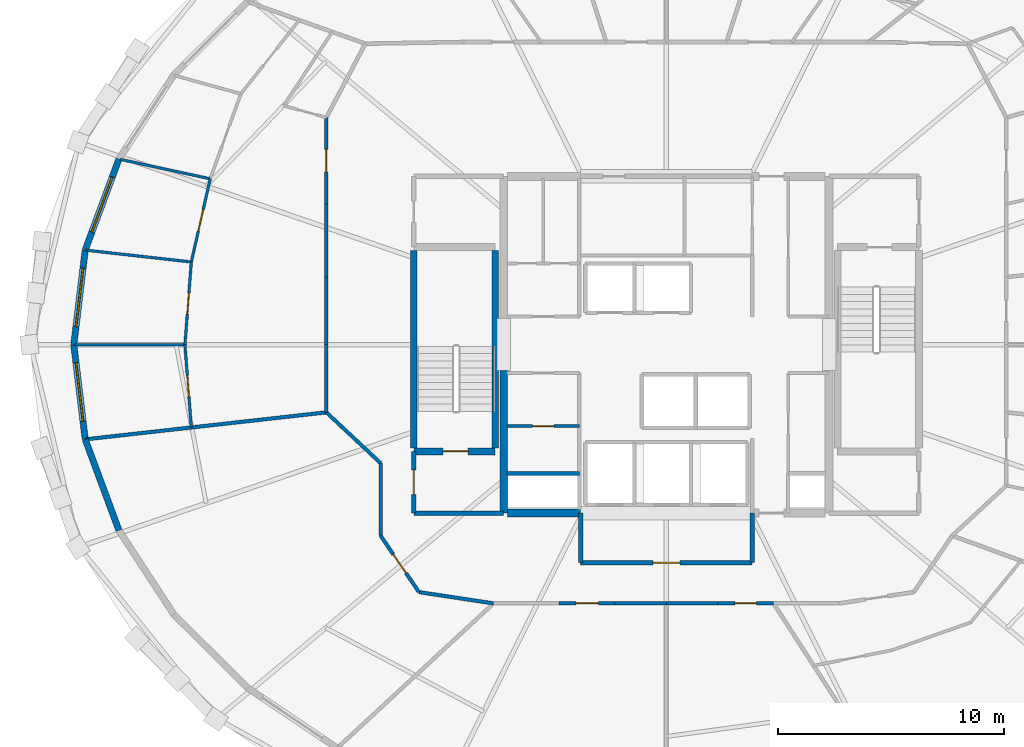
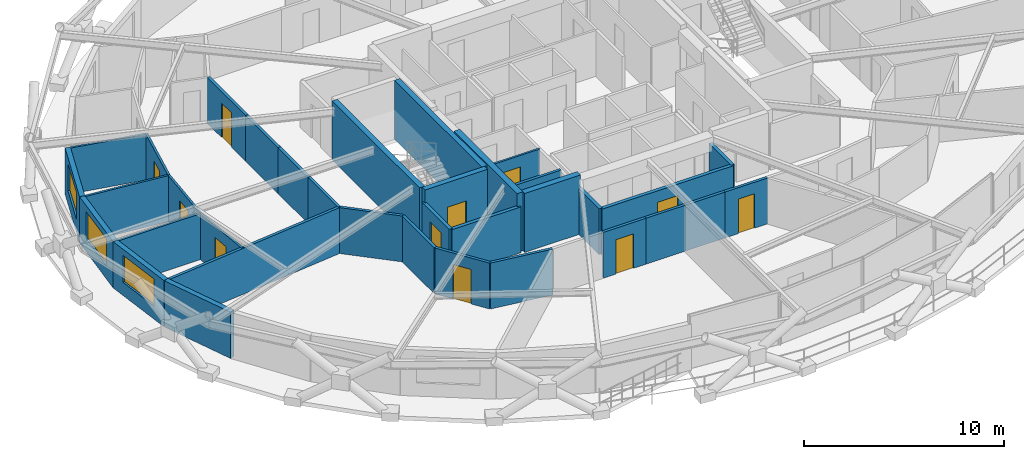
# One storey, part 14 of 19: 35 walls, 11 doors, 3 windows, 14 openings.
"""IFC4 building model written with IfcOpenShell, lengths in metres."""

import ifcopenshell
import ifcopenshell.guid

model = None  # the IFC model being written
_history = None  # IfcOwnerHistory: only IFC2X3 demands one
_inside = {}  # id of a spatial element -> (the spatial element, [elements in it])
_under = {}  # id of a project, library or spatial element -> (it, [spatial elements below it])
_declared = {}  # id of a project -> (the project, [libraries it declares])
_typed = {}  # id of a type object -> (the type object, [elements of that type])
_made_of = {}  # id of a material, layer set ... -> (it, [elements and type objects made of it])


def new_model(schema):
    """Start an empty IFC model of exactly this schema.

    Asked for "IFC4X3", IfcOpenShell would pick the latest addendum, in which some entities
    have other attributes; the version numbers below select the first issue.
    IFC2X3 requires an IfcOwnerHistory on every rooted entity: one is made here for all.
    """
    global model, _history
    if schema == "IFC4X3":
        model = ifcopenshell.file(schema_version=(4, 3, 0, 0))
    else:
        model = ifcopenshell.file(schema=schema)
    _inside.clear()
    _under.clear()
    _declared.clear()
    _typed.clear()
    _made_of.clear()
    _history = None
    if model.schema == "IFC2X3":
        org = make("IfcOrganization", Name="unknown")
        user = make(
            "IfcPersonAndOrganization",
            ThePerson=make("IfcPerson", FamilyName="unknown"),
            TheOrganization=org,
        )
        app = make(
            "IfcApplication",
            ApplicationDeveloper=org,
            Version="unknown",
            ApplicationFullName="unknown",
            ApplicationIdentifier="unknown",
        )
        _history = make(
            "IfcOwnerHistory",
            OwningUser=user,
            OwningApplication=app,
            ChangeAction="ADDED",
            CreationDate=0,
        )
    return model


def make(cls, **values):
    """One entity of the class cls with the attributes given. An attribute that is None is left unset."""
    return model.create_entity(
        cls, **{name: value for name, value in values.items() if value is not None}
    )


def rooted(cls, **values):
    """An entity with a GlobalId (a new one), such as an element, a storey or a relation."""
    return make(cls, GlobalId=ifcopenshell.guid.new(), OwnerHistory=_history, **values)


def si_unit(unit_type, name, prefix=None):
    """IfcSIUnit, for example si_unit("LENGTHUNIT", "METRE", prefix="MILLI")."""
    return make("IfcSIUnit", UnitType=unit_type, Prefix=prefix, Name=name)


def assignment(units):
    """IfcUnitAssignment: the units of a project."""
    return None if units is None else make("IfcUnitAssignment", Units=units)


def point(xyz):
    """IfcCartesianPoint."""
    return None if xyz is None else make("IfcCartesianPoint", Coordinates=xyz)


def direction(xyz):
    """IfcDirection."""
    return None if xyz is None else make("IfcDirection", DirectionRatios=xyz)


def frame(location, z_axis=None, x_axis=None):
    """IfcAxis2Placement3D, a coordinate frame: its origin and axes. An axis left out is left unset."""
    return make(
        "IfcAxis2Placement3D",
        Location=point(location),
        Axis=direction(z_axis),
        RefDirection=direction(x_axis),
    )


def frame_2d(location, x_axis=None):
    """IfcAxis2Placement2D, a coordinate frame in the plane: its origin and x axis."""
    return make(
        "IfcAxis2Placement2D", Location=point(location), RefDirection=direction(x_axis)
    )


def origin():
    """The frame at (0, 0, 0) with its axes left unset."""
    return frame((0.0, 0.0, 0.0))


def place(relative_to, where):
    """IfcLocalPlacement: puts the frame where relative to a parent placement (None: the world)."""
    return make(
        "IfcLocalPlacement", PlacementRelTo=relative_to, RelativePlacement=where
    )


def context(
    kind, dimensions, precision=None, world=None, true_north=None, identifier=None
):
    """IfcGeometricRepresentationContext, for example the 3D "Model" context."""
    return make(
        "IfcGeometricRepresentationContext",
        ContextIdentifier=identifier,
        ContextType=kind,
        CoordinateSpaceDimension=dimensions,
        Precision=precision,
        WorldCoordinateSystem=world,
        TrueNorth=true_north,
    )


def subcontext(parent, identifier, kind, view, scale=None):
    """IfcGeometricRepresentationSubContext, for example "Body" below "Model"."""
    return make(
        "IfcGeometricRepresentationSubContext",
        ContextIdentifier=identifier,
        ContextType=kind,
        ParentContext=parent,
        TargetScale=scale,
        TargetView=view,
    )


def project(units=None, contexts=None):
    """IfcProject with its units and contexts."""
    return rooted(
        "IfcProject",
        Name="project",
        RepresentationContexts=contexts,
        UnitsInContext=assignment(units),
    )


def spatial(cls, under=None, at=None, **own):
    """A site, building, storey or space (cls), placed at a placement, below another one or the project."""
    s = rooted(cls, ObjectPlacement=at, **own)
    if under is not None:
        _under.setdefault(under.id(), (under, []))[1].append(s)
    return s


def profile(cls, at=None, kind="AREA", **sizes):
    """A parametric profile (cls). Its sizes go by their IFC names, for example OverallWidth=200.0."""
    return make(cls, ProfileType=kind, Position=at, **sizes)


def rectangle(**sizes):
    """IfcRectangleProfileDef."""
    return profile("IfcRectangleProfileDef", **sizes)


def extrude(swept, where, along, depth):
    """IfcExtrudedAreaSolid: the profile swept, set in the frame where, extruded along a direction by depth."""
    return make(
        "IfcExtrudedAreaSolid",
        SweptArea=swept,
        Position=where,
        ExtrudedDirection=direction(along),
        Depth=depth,
    )


def shape(context_of_items, identifier, shape_type, items):
    """IfcShapeRepresentation: the items that make up one representation, for example the "Body"."""
    return make(
        "IfcShapeRepresentation",
        ContextOfItems=context_of_items,
        RepresentationIdentifier=identifier,
        RepresentationType=shape_type,
        Items=items,
    )


def material(Name=None, Category=None):
    """IfcMaterial."""
    return make("IfcMaterial", Name=Name, Category=Category)


def layer(
    of_material, thickness, ventilated=None, Name=None, Category=None, Priority=None
):
    """IfcMaterialLayer: one layer of a wall or slab, of a material (None: an air gap)."""
    return make(
        "IfcMaterialLayer",
        Material=of_material,
        LayerThickness=thickness,
        IsVentilated=ventilated,
        Name=Name,
        Category=Category,
        Priority=Priority,
    )


def layer_set(layers, Name=None):
    """IfcMaterialLayerSet."""
    return make("IfcMaterialLayerSet", MaterialLayers=layers, LayerSetName=Name)


def made_of(thing, what):
    """Note that an element or type object is made of a material, layer set ...; save() writes the relation."""
    if what is not None:
        _made_of.setdefault(what.id(), (what, []))[1].append(thing)
    return thing


def type_object(cls, material=None, **own):
    """A type object (cls), such as IfcWallType, which elements share."""
    return made_of(rooted(cls, **own), material)


def element(
    cls,
    number,
    at=None,
    inside=None,
    cuts=None,
    type_object=None,
    material=None,
    context=None,
    identifier="Body",
    shape_type=None,
    held_by="IfcProductDefinitionShape",
    body=None,
    shapes=None,
    **own,
):
    """One element of the class cls, such as IfcWall. Its Tag is "e" and its number.

    at: its placement. inside: the storey or other place that contains it. cuts: it is an
    opening in that element (IfcRelVoidsElement). A single representation is given by context,
    identifier, shape_type and body (its items); several are given by shapes. held_by: the class
    of the entity that holds the representations. save() writes the other relations.
    """
    e = rooted(cls, Tag="e%d" % number, ObjectPlacement=at, **own)
    if body is not None:
        shapes = [shape(context, identifier, shape_type, body)]
    if shapes is not None:
        e.Representation = make(held_by, Representations=shapes)
    if inside is not None:
        _inside.setdefault(inside.id(), (inside, []))[1].append(e)
    if cuts is not None:
        rooted(
            "IfcRelVoidsElement", RelatingBuildingElement=cuts, RelatedOpeningElement=e
        )
    if type_object is not None:
        _typed.setdefault(type_object.id(), (type_object, []))[1].append(e)
    return made_of(e, material)


def fill(opening, filler):
    """IfcRelFillsElement: the door or window that sits in an opening."""
    return rooted(
        "IfcRelFillsElement",
        RelatingOpeningElement=opening,
        RelatedBuildingElement=filler,
    )


def aggregate(whole, parts):
    """IfcRelAggregates: a whole, such as a stair, and the parts it consists of."""
    return rooted("IfcRelAggregates", RelatingObject=whole, RelatedObjects=parts)


def save(model, path):
    """Write the relations noted so far, then the file.

    IfcRelAggregates (storeys below a building ...), IfcRelContainedInSpatialStructure (elements
    in a storey), IfcRelDefinesByType, IfcRelAssociatesMaterial and IfcRelDeclares: one each for
    every whole, place, type object, material and project.
    """
    for whole, parts in _under.values():
        aggregate(whole, parts)
    for where, things in _inside.values():
        rooted(
            "IfcRelContainedInSpatialStructure",
            RelatedElements=things,
            RelatingStructure=where,
        )
    for kind, things in _typed.values():
        rooted("IfcRelDefinesByType", RelatedObjects=things, RelatingType=kind)
    for what, things in _made_of.values():
        rooted("IfcRelAssociatesMaterial", RelatedObjects=things, RelatingMaterial=what)
    for by, libraries in _declared.values():
        rooted("IfcRelDeclares", RelatingContext=by, RelatedDefinitions=libraries)
    model.write(path)


model = new_model("IFC4")

# Units and contexts
model_context = context("Model", 3, precision=1e-05, world=origin(), true_north=direction((0.0, 1.0)))
body_context = subcontext(model_context, "Body", "Model", "MODEL_VIEW")
ifc_project = project(units=[si_unit("LENGTHUNIT", "METRE"), si_unit("AREAUNIT", "SQUARE_METRE"), si_unit("VOLUMEUNIT", "CUBIC_METRE"), si_unit("PLANEANGLEUNIT", "RADIAN"), si_unit("MASSUNIT", "GRAM", prefix="KILO")], contexts=[model_context])

# Site, building, storey
site_placement = place(None, origin())
site = spatial("IfcSite", under=ifc_project, at=site_placement, CompositionType="ELEMENT")
building_placement = place(site_placement, origin())
building = spatial("IfcBuilding", under=site, at=building_placement, Name="Veldorina Hangang Commons", CompositionType="ELEMENT")
storey_placement = place(building_placement, frame((0.0, 0.0, 160.39990234375)))
storey = spatial("IfcBuildingStorey", under=building, at=storey_placement, Name="L41", CompositionType="ELEMENT", Elevation=160.39990234375)

# Walls
ifc_material_1 = material(Name="Concrete C60/75", Category="concrete")
ifc_layer_1 = layer(ifc_material_1, 0.340087890625)
ifc_layer_set_1 = layer_set([ifc_layer_1], Name="Concrete C60/75")
wall_type_1 = type_object("IfcWallType", Name="CW-RC340-C60", PredefinedType="SHEAR", material=ifc_layer_set_1)
wall_1_placement = place(storey_placement, frame((24.800048828125, 16.550048828125, 0.0), z_axis=(0.0, 0.0, 1.0), x_axis=(0.0, 1.0, 0.0)))
element("IfcWall", 1, at=wall_1_placement, inside=storey, type_object=wall_type_1, Name="L41 W south core shear wall", PredefinedType="SHEAR", context=body_context, shape_type="SweptSolid", body=[
    extrude(rectangle(XDim=6.300048828125, YDim=0.340087890625, at=frame_2d((3.14990234375, 0.0))), origin(), (0.0, 0.0, 1.0), 3.60009765625),
])
wall_2_placement = place(storey_placement, frame((24.969970703125, 16.550048828125, 0.0), z_axis=(0.0, 0.0, 1.0), x_axis=(1.0, 0.0, 0.0)))
element("IfcWall", 2, at=wall_2_placement, inside=storey, type_object=wall_type_1, Name="L41 south-west core shear wall", PredefinedType="SHEAR", context=body_context, shape_type="SweptSolid", body=[
    extrude(rectangle(XDim=3.22998046875, YDim=0.340087890625, at=frame_2d((1.614990234375, 0.0))), origin(), (0.0, 0.0, 1.0), 3.60009765625),
])

# Wall, opening, window
ifc_material_2 = material(Name="Stone Roman Travertine", Category="masonry")
ifc_layer_2 = layer(ifc_material_2, 0.280029296875)
ifc_layer_set_2 = layer_set([ifc_layer_2], Name="Stone Roman Travertine")
wall_type_2 = type_object("IfcWallType", Name="EW-TRAV-280", PredefinedType="STANDARD", material=ifc_layer_set_2)
wall_3_placement = place(storey_placement, frame((7.767578125, 32.217041015625, 0.0), z_axis=(0.0, 0.0, 1.0), x_axis=(-0.347427267509, -0.937706933851, 0.0)))
wall_3 = element("IfcWall", 3, at=wall_3_placement, inside=storey, type_object=wall_type_2, Name="L41 travertine facade wall 14", PredefinedType="STANDARD", context=body_context, shape_type="SweptSolid", body=[
    extrude(rectangle(XDim=4.295654296875, YDim=0.280029296875, at=frame_2d((2.14794921875, 0.0))), origin(), (0.0, 0.0, 1.0), 2.820068359375),
])
opening_1_placement = place(wall_3_placement, frame((0.847900390625, 0.0, 0.800048828125)))
opening_1 = element("IfcOpeningElement", 4, at=opening_1_placement, cuts=wall_3, Name="Opening W-02", PredefinedType="OPENING", context=body_context, shape_type="SweptSolid", body=[
    extrude(rectangle(XDim=2.60009765625, YDim=1.64990234375, at=frame_2d((1.300048828125, 0.824951171875))), frame((0.0, 0.14990234375, 0.0), z_axis=(0.0, -1.0, 0.0), x_axis=(1.0, 0.0, 0.0)), (0.0, 0.0, 1.0), 0.300048828125),
])
ifc_material_3 = material(Name="Glass Low-E Triple IGU", Category="glass")
window_type = type_object("IfcWindowType", Name="WIN-TWR-2600", PartitioningType="SINGLE_PANEL", PredefinedType="WINDOW", material=ifc_material_3)
window_1_placement = place(opening_1_placement, origin())
window_1 = element("IfcWindow", 5, at=window_1_placement, inside=storey, type_object=window_type, Name="L41 facade window 14", OverallHeight=1.64990234375, OverallWidth=2.60009765625, PartitioningType="SINGLE_PANEL", PredefinedType="WINDOW", context=body_context, shape_type="SweptSolid", body=[
    extrude(rectangle(XDim=2.60009765625, YDim=1.64990234375, at=frame_2d((1.300048828125, 0.824951171875))), frame((0.0, 0.030029296875, 0.0), z_axis=(0.0, -1.0, 0.0), x_axis=(1.0, 0.0, 0.0)), (0.0, 0.0, 1.0), 0.06005859375),
])
fill(opening_1, window_1)

wall_4_placement = place(storey_placement, frame((6.275146484375, 28.18896484375, 0.0), z_axis=(0.0, 0.0, 1.0), x_axis=(-0.119432713673, -0.992842297097, 0.0)))
wall_4 = element("IfcWall", 6, at=wall_4_placement, inside=storey, type_object=wall_type_2, Name="L41 travertine facade wall 15", PredefinedType="STANDARD", context=body_context, shape_type="SweptSolid", body=[
    extrude(rectangle(XDim=4.21923828125, YDim=0.280029296875, at=frame_2d((2.109619140625, 0.0))), origin(), (0.0, 0.0, 1.0), 2.820068359375),
])
opening_2_placement = place(wall_4_placement, frame((0.8095703125, 0.0, 0.800048828125)))
opening_2 = element("IfcOpeningElement", 7, at=opening_2_placement, cuts=wall_4, Name="Opening W-02", PredefinedType="OPENING", context=body_context, shape_type="SweptSolid", body=[
    extrude(rectangle(XDim=2.60009765625, YDim=1.64990234375, at=frame_2d((1.300048828125, 0.824951171875))), frame((0.0, 0.14990234375, 0.0), z_axis=(0.0, -1.0, 0.0), x_axis=(1.0, 0.0, 0.0)), (0.0, 0.0, 1.0), 0.300048828125),
])
window_2_placement = place(opening_2_placement, origin())
window_2 = element("IfcWindow", 8, at=window_2_placement, inside=storey, type_object=window_type, Name="L41 facade window 15", OverallHeight=1.64990234375, OverallWidth=2.60009765625, PartitioningType="SINGLE_PANEL", PredefinedType="WINDOW", context=body_context, shape_type="SweptSolid", body=[
    extrude(rectangle(XDim=2.60009765625, YDim=1.64990234375, at=frame_2d((1.300048828125, 0.824951171875))), frame((0.0, 0.030029296875, 0.0), z_axis=(0.0, -1.0, 0.0), x_axis=(1.0, 0.0, 0.0)), (0.0, 0.0, 1.0), 0.06005859375),
])
fill(opening_2, window_2)

wall_5_placement = place(storey_placement, frame((5.771240234375, 24.0, 0.0), z_axis=(0.0, 0.0, 1.0), x_axis=(0.119432713673, -0.992842297097, 0.0)))
wall_5 = element("IfcWall", 9, at=wall_5_placement, inside=storey, type_object=wall_type_2, Name="L41 travertine facade wall 16", PredefinedType="STANDARD", context=body_context, shape_type="SweptSolid", body=[
    extrude(rectangle(XDim=4.21923828125, YDim=0.280029296875, at=frame_2d((2.109619140625, 0.0))), origin(), (0.0, 0.0, 1.0), 2.820068359375),
])
opening_3_placement = place(wall_5_placement, frame((0.8095703125, 0.0, 0.800048828125)))
opening_3 = element("IfcOpeningElement", 10, at=opening_3_placement, cuts=wall_5, Name="Opening W-02", PredefinedType="OPENING", context=body_context, shape_type="SweptSolid", body=[
    extrude(rectangle(XDim=2.60009765625, YDim=1.64990234375, at=frame_2d((1.300048828125, 0.824951171875))), frame((0.0, 0.14990234375, 0.0), z_axis=(0.0, -1.0, 0.0), x_axis=(1.0, 0.0, 0.0)), (0.0, 0.0, 1.0), 0.300048828125),
])
window_3_placement = place(opening_3_placement, origin())
window_3 = element("IfcWindow", 11, at=window_3_placement, inside=storey, type_object=window_type, Name="L41 facade window 16", OverallHeight=1.64990234375, OverallWidth=2.60009765625, PartitioningType="SINGLE_PANEL", PredefinedType="WINDOW", context=body_context, shape_type="SweptSolid", body=[
    extrude(rectangle(XDim=2.60009765625, YDim=1.64990234375, at=frame_2d((1.300048828125, 0.824951171875))), frame((0.0, 0.030029296875, 0.0), z_axis=(0.0, -1.0, 0.0), x_axis=(1.0, 0.0, 0.0)), (0.0, 0.0, 1.0), 0.06005859375),
])
fill(opening_3, window_3)

# Walls
wall_6_placement = place(storey_placement, frame((6.275146484375, 19.81103515625, 0.0), z_axis=(0.0, 0.0, 1.0), x_axis=(0.347427267509, -0.937706933851, 0.0)))
element("IfcWall", 12, at=wall_6_placement, inside=storey, type_object=wall_type_2, Name="L41 travertine facade wall 17", PredefinedType="STANDARD", context=body_context, shape_type="SweptSolid", body=[
    extrude(rectangle(XDim=4.295654296875, YDim=0.280029296875, at=frame_2d((2.14794921875, 0.0))), origin(), (0.0, 0.0, 1.0), 2.820068359375),
])
ifc_material_4 = material(Name="Concrete C50/60", Category="concrete")
ifc_layer_3 = layer(ifc_material_4, 0.300048828125)
ifc_layer_set_3 = layer_set([ifc_layer_3], Name="Concrete C50/60")
wall_type_3 = type_object("IfcWallType", Name="SW-STAIR-300", PredefinedType="SHEAR", material=ifc_layer_set_3)
for number, where, z_axis, x_axis, name in (
    (13, (20.820068359375, 19.429931640625, 0.0), (0.0, 0.0, 1.0), (0.0, 1.0, 0.0), "L41 ST1 outer stair shear wall"),
    (14, (24.419921875, 19.429931640625, 0.0), (0.0, 0.0, 1.0), (0.0, 1.0, 0.0), "L41 ST1 inner stair shear wall"),
):
    element("IfcWall", number, at=place(storey_placement, frame(where, z_axis=z_axis, x_axis=x_axis)), inside=storey, type_object=wall_type_3, Name=name, PredefinedType="SHEAR", context=body_context, shape_type="SweptSolid", body=[
        extrude(rectangle(XDim=8.739990234375, YDim=0.300048828125, at=frame_2d((4.3701171875, 0.0))), origin(), (0.0, 0.0, 1.0), 3.60009765625),
    ])

# Wall, opening, door
wall_7_placement = place(storey_placement, frame((20.820068359375, 19.280029296875, 0.0), z_axis=(0.0, 0.0, 1.0), x_axis=(1.0, 0.0, 0.0)))
wall_7 = element("IfcWall", 15, at=wall_7_placement, inside=storey, type_object=wall_type_3, Name="L41 ST1 south stair shear wall", PredefinedType="SHEAR", context=body_context, shape_type="SweptSolid", body=[
    extrude(rectangle(XDim=3.599853515625, YDim=0.300048828125, at=frame_2d((1.7998046875, 0.0))), origin(), (0.0, 0.0, 1.0), 3.60009765625),
])
opening_4_placement = place(wall_7_placement, frame((1.300048828125, 0.0, 0.0)))
opening_4 = element("IfcOpeningElement", 16, at=opening_4_placement, cuts=wall_7, Name="Opening D-08", PredefinedType="OPENING", context=body_context, shape_type="SweptSolid", body=[
    extrude(rectangle(XDim=1.10009765625, YDim=2.10009765625, at=frame_2d((0.550048828125, 1.050048828125))), frame((0.0, 0.16015625, 0.0), z_axis=(0.0, -1.0, 0.0), x_axis=(1.0, 0.0, 0.0)), (0.0, 0.0, 1.0), 0.320068359375),
])
ifc_material_5 = material(Name="Steel Fire-Rated Smoke Seal", Category="steel")
door_type_1 = type_object("IfcDoorType", Name="DR-FIRE-1100", OperationType="SINGLE_SWING_RIGHT", PredefinedType="DOOR", material=ifc_material_5)
door_1_placement = place(opening_4_placement, origin())
door_1 = element("IfcDoor", 17, at=door_1_placement, inside=storey, type_object=door_type_1, Name="L41 Special Escape Stair ST-1 door", OperationType="SINGLE_SWING_LEFT", OverallHeight=2.10009765625, OverallWidth=1.10009765625, PredefinedType="DOOR", context=body_context, shape_type="SweptSolid", body=[
    extrude(rectangle(XDim=1.10009765625, YDim=2.10009765625, at=frame_2d((0.550048828125, 1.050048828125))), frame((0.0, 0.02490234375, 0.0), z_axis=(0.0, -1.0, 0.0), x_axis=(1.0, 0.0, 0.0)), (0.0, 0.0, 1.0), 0.050048828125),
])
fill(opening_4, door_1)

# Wall
ifc_material_6 = material(Name="Gypsum Fire-Rated Twin Stud Wall", Category="gypsum")
ifc_layer_4 = layer(ifc_material_6, 0.159912109375)
ifc_layer_set_4 = layer_set([ifc_layer_4], Name="Gypsum Fire-Rated Twin Stud Wall")
wall_type_4 = type_object("IfcWallType", Name="WL-FIRE-160", PredefinedType="SOLIDWALL", material=ifc_layer_set_4)
wall_8_placement = place(storey_placement, frame((24.949951171875, 18.300048828125, 0.0), z_axis=(0.0, 0.0, 1.0), x_axis=(1.0, 0.0, 0.0)))
element("IfcWall", 18, at=wall_8_placement, inside=storey, type_object=wall_type_4, Name="L41 Electrical riser wall 035", PredefinedType="SOLIDWALL", context=body_context, shape_type="SweptSolid", body=[
    extrude(rectangle(XDim=3.199951171875, YDim=0.159912109375, at=frame_2d((1.60009765625, 0.0))), origin(), (0.0, 0.0, 1.0), 2.800048828125),
])

# Wall, opening, door
wall_9_placement = place(storey_placement, frame((16.949951171875, 34.05615234375, 0.0), z_axis=(0.0, 0.0, 1.0), x_axis=(0.0, -1.0, 0.0)))
wall_9 = element("IfcWall", 19, at=wall_9_placement, inside=storey, type_object=wall_type_4, Name="L41 U-corridor outer wall 13 061", PredefinedType="SOLIDWALL", context=body_context, shape_type="SweptSolid", body=[
    extrude(rectangle(XDim=3.822265625, YDim=0.159912109375, at=frame_2d((1.9111328125, 0.0))), origin(), (0.0, 0.0, 1.0), 2.800048828125),
])
opening_5_placement = place(wall_9_placement, frame((1.4111328125, 0.0, 0.0)))
opening_5 = element("IfcOpeningElement", 20, at=opening_5_placement, cuts=wall_9, Name="Opening D-06", PredefinedType="OPENING", context=body_context, shape_type="SweptSolid", body=[
    extrude(rectangle(XDim=1.0, YDim=2.10009765625, at=frame_2d((0.5, 1.050048828125))), frame((0.0, 0.08984375, 0.0), z_axis=(0.0, -1.0, 0.0), x_axis=(1.0, 0.0, 0.0)), (0.0, 0.0, 1.0), 0.179931640625),
])
ifc_material_7 = material(Name="Timber Fire-Rated Entrance Core", Category="wood")
door_type_2 = type_object("IfcDoorType", Name="DR-UNIT-1000", OperationType="SINGLE_SWING_LEFT", PredefinedType="DOOR", material=ifc_material_7)
door_2_placement = place(opening_5_placement, origin())
door_2 = element("IfcDoor", 21, at=door_2_placement, inside=storey, type_object=door_type_2, Name="L41 Cluster 9 entrance door 037", OperationType="SINGLE_SWING_LEFT", OverallHeight=2.10009765625, OverallWidth=1.0, PredefinedType="DOOR", context=body_context, shape_type="SweptSolid", body=[
    extrude(rectangle(XDim=1.0, YDim=2.10009765625, at=frame_2d((0.5, 1.050048828125))), frame((0.0, 0.02490234375, 0.0), z_axis=(0.0, -1.0, 0.0), x_axis=(1.0, 0.0, 0.0)), (0.0, 0.0, 1.0), 0.050048828125),
])
fill(opening_5, door_2)

# Walls
wall_10_placement = place(storey_placement, frame((16.949951171875, 30.23388671875, 0.0), z_axis=(0.0, 0.0, 1.0), x_axis=(0.0, -1.0, 0.0)))
element("IfcWall", 22, at=wall_10_placement, inside=storey, type_object=wall_type_4, Name="L41 U-corridor outer wall 14 062", PredefinedType="SOLIDWALL", context=body_context, shape_type="SweptSolid", body=[
    extrude(rectangle(XDim=3.240234375, YDim=0.159912109375, at=frame_2d((1.6201171875, 0.0))), origin(), (0.0, 0.0, 1.0), 2.800048828125),
])
for number, where, z_axis, x_axis, name in (
    (23, (16.949951171875, 26.99365234375, 0.0), (0.0, 0.0, 1.0), (0.0, -1.0, 0.0), "L41 U-corridor outer wall 15 063"),
    (24, (16.949951171875, 24.0, 0.0), (0.0, 0.0, 1.0), (0.0, -1.0, 0.0), "L41 U-corridor outer wall 16 064"),
):
    element("IfcWall", number, at=place(storey_placement, frame(where, z_axis=z_axis, x_axis=x_axis)), inside=storey, type_object=wall_type_4, Name=name, PredefinedType="SOLIDWALL", context=body_context, shape_type="SweptSolid", body=[
        extrude(rectangle(XDim=2.99365234375, YDim=0.159912109375, at=frame_2d((1.496826171875, 0.0))), origin(), (0.0, 0.0, 1.0), 2.800048828125),
    ])
wall_11_placement = place(storey_placement, frame((16.949951171875, 21.00634765625, 0.0), z_axis=(0.0, 0.0, 1.0), x_axis=(0.730150682073, -0.683286163674, 0.0)))
element("IfcWall", 25, at=wall_11_placement, inside=storey, type_object=wall_type_4, Name="L41 U-corridor outer wall 17 065", PredefinedType="SOLIDWALL", context=body_context, shape_type="SweptSolid", body=[
    extrude(rectangle(XDim=3.287109375, YDim=0.159912109375, at=frame_2d((1.6435546875, 0.0))), origin(), (0.0, 0.0, 1.0), 2.800048828125),
])
wall_12_placement = place(storey_placement, frame((19.35009765625, 18.76025390625, 0.0), z_axis=(0.0, 0.0, 1.0), x_axis=(0.0, -1.0, 0.0)))
element("IfcWall", 26, at=wall_12_placement, inside=storey, type_object=wall_type_4, Name="L41 U-corridor outer wall 18 066", PredefinedType="SOLIDWALL", context=body_context, shape_type="SweptSolid", body=[
    extrude(rectangle(XDim=3.212646484375, YDim=0.159912109375, at=frame_2d((1.6064453125, 0.0))), origin(), (0.0, 0.0, 1.0), 2.800048828125),
])

# Wall, opening, door
wall_13_placement = place(storey_placement, frame((19.35009765625, 15.547607421875, 0.0), z_axis=(0.0, 0.0, 1.0), x_axis=(0.562674669208, -0.826678423955, 0.0)))
wall_13 = element("IfcWall", 27, at=wall_13_placement, inside=storey, type_object=wall_type_4, Name="L41 U-corridor outer wall 19 067", PredefinedType="SOLIDWALL", context=body_context, shape_type="SweptSolid", body=[
    extrude(rectangle(XDim=3.021240234375, YDim=0.159912109375, at=frame_2d((1.5107421875, 0.0))), origin(), (0.0, 0.0, 1.0), 2.800048828125),
])
opening_6_placement = place(wall_13_placement, frame((1.010498046875, 0.0, 0.0)))
opening_6 = element("IfcOpeningElement", 28, at=opening_6_placement, cuts=wall_13, Name="Opening D-05", PredefinedType="OPENING", context=body_context, shape_type="SweptSolid", body=[
    extrude(rectangle(XDim=1.0, YDim=2.10009765625, at=frame_2d((0.5, 1.050048828125))), frame((0.0, 0.08984375, 0.0), z_axis=(0.0, -1.0, 0.0), x_axis=(1.0, 0.0, 0.0)), (0.0, 0.0, 1.0), 0.179931640625),
])
ifc_material_8 = material(Name="Timber Solid Core Acoustic", Category="wood")
door_type_3 = type_object("IfcDoorType", Name="DR-INT-1000", OperationType="SINGLE_SWING_RIGHT", PredefinedType="DOOR", material=ifc_material_8)
door_3_placement = place(opening_6_placement, origin())
door_3 = element("IfcDoor", 29, at=door_3_placement, inside=storey, type_object=door_type_3, Name="L41 Floor Study Room 10 door 043", OperationType="SINGLE_SWING_LEFT", OverallHeight=2.10009765625, OverallWidth=1.0, PredefinedType="DOOR", context=body_context, shape_type="SweptSolid", body=[
    extrude(rectangle(XDim=1.0, YDim=2.10009765625, at=frame_2d((0.5, 1.050048828125))), frame((0.0, 0.02490234375, 0.0), z_axis=(0.0, -1.0, 0.0), x_axis=(1.0, 0.0, 0.0)), (0.0, 0.0, 1.0), 0.050048828125),
])
fill(opening_6, door_3)

# Wall
wall_14_placement = place(storey_placement, frame((21.050048828125, 13.050048828125, 0.0), z_axis=(0.0, 0.0, 1.0), x_axis=(0.988710906508, -0.149835721217, 0.0)))
element("IfcWall", 30, at=wall_14_placement, inside=storey, type_object=wall_type_4, Name="L41 U-corridor outer wall 20 068", PredefinedType="SOLIDWALL", context=body_context, shape_type="SweptSolid", body=[
    extrude(rectangle(XDim=3.3369140625, YDim=0.159912109375, at=frame_2d((1.66845703125, 0.0))), origin(), (0.0, 0.0, 1.0), 2.800048828125),
])

# Wall, opening, door
wall_15_placement = place(storey_placement, frame((27.25732421875, 12.550048828125, 0.0), z_axis=(0.0, 0.0, 1.0), x_axis=(1.0, 0.0, 0.0)))
wall_15 = element("IfcWall", 31, at=wall_15_placement, inside=storey, type_object=wall_type_4, Name="L41 U-corridor outer wall 22 070", PredefinedType="SOLIDWALL", context=body_context, shape_type="SweptSolid", body=[
    extrude(rectangle(XDim=2.465087890625, YDim=0.159912109375, at=frame_2d((1.232421875, 0.0))), origin(), (0.0, 0.0, 1.0), 2.800048828125),
])
opening_7_placement = place(wall_15_placement, frame((0.732666015625, 0.0, 0.0)))
opening_7 = element("IfcOpeningElement", 32, at=opening_7_placement, cuts=wall_15, Name="Opening D-05", PredefinedType="OPENING", context=body_context, shape_type="SweptSolid", body=[
    extrude(rectangle(XDim=1.0, YDim=2.10009765625, at=frame_2d((0.5, 1.050048828125))), frame((0.0, 0.08984375, 0.0), z_axis=(0.0, -1.0, 0.0), x_axis=(1.0, 0.0, 0.0)), (0.0, 0.0, 1.0), 0.179931640625),
])
door_4_placement = place(opening_7_placement, origin())
door_4 = element("IfcDoor", 33, at=door_4_placement, inside=storey, type_object=door_type_3, Name="L41 Seminar Focus Room 11 door 044", OperationType="SINGLE_SWING_RIGHT", OverallHeight=2.10009765625, OverallWidth=1.0, PredefinedType="DOOR", context=body_context, shape_type="SweptSolid", body=[
    extrude(rectangle(XDim=1.0, YDim=2.10009765625, at=frame_2d((0.5, 1.050048828125))), frame((0.0, 0.02490234375, 0.0), z_axis=(0.0, -1.0, 0.0), x_axis=(1.0, 0.0, 0.0)), (0.0, 0.0, 1.0), 0.050048828125),
])
fill(opening_7, door_4)

# Walls
for number, where, z_axis, x_axis, name in (
    (34, (29.722412109375, 12.550048828125, 0.0), (0.0, 0.0, 1.0), (1.0, 0.0, 0.0), "L41 U-corridor outer wall 23 071"),
    (35, (32.0, 12.550048828125, 0.0), (0.0, 0.0, 1.0), (1.0, 0.0, 0.0), "L41 U-corridor outer wall 24 072"),
):
    element("IfcWall", number, at=place(storey_placement, frame(where, z_axis=z_axis, x_axis=x_axis)), inside=storey, type_object=wall_type_4, Name=name, PredefinedType="SOLIDWALL", context=body_context, shape_type="SweptSolid", body=[
        extrude(rectangle(XDim=2.277587890625, YDim=0.159912109375, at=frame_2d((1.138671875, 0.0))), origin(), (0.0, 0.0, 1.0), 2.800048828125),
    ])

# Wall, opening, door
wall_16_placement = place(storey_placement, frame((34.277587890625, 12.550048828125, 0.0), z_axis=(0.0, 0.0, 1.0), x_axis=(1.0, 0.0, 0.0)))
wall_16 = element("IfcWall", 36, at=wall_16_placement, inside=storey, type_object=wall_type_4, Name="L41 U-corridor outer wall 25 073", PredefinedType="SOLIDWALL", context=body_context, shape_type="SweptSolid", body=[
    extrude(rectangle(XDim=2.465087890625, YDim=0.159912109375, at=frame_2d((1.232421875, 0.0))), origin(), (0.0, 0.0, 1.0), 2.800048828125),
])
opening_8_placement = place(wall_16_placement, frame((0.757568359375, 0.0, 0.0)))
opening_8 = element("IfcOpeningElement", 37, at=opening_8_placement, cuts=wall_16, Name="Opening D-02", PredefinedType="OPENING", context=body_context, shape_type="SweptSolid", body=[
    extrude(rectangle(XDim=0.949951171875, YDim=2.10009765625, at=frame_2d((0.47509765625, 1.050048828125))), frame((0.0, 0.08984375, 0.0), z_axis=(0.0, -1.0, 0.0), x_axis=(1.0, 0.0, 0.0)), (0.0, 0.0, 1.0), 0.179931640625),
])
door_type_4 = type_object("IfcDoorType", Name="DR-INT-950", OperationType="SINGLE_SWING_LEFT", PredefinedType="DOOR", material=ifc_material_8)
door_5_placement = place(opening_8_placement, origin())
door_5 = element("IfcDoor", 38, at=door_5_placement, inside=storey, type_object=door_type_4, Name="L41 Linen drying store door 045", OperationType="SINGLE_SWING_LEFT", OverallHeight=2.10009765625, OverallWidth=0.949951171875, PredefinedType="DOOR", context=body_context, shape_type="SweptSolid", body=[
    extrude(rectangle(XDim=0.949951171875, YDim=2.10009765625, at=frame_2d((0.47509765625, 1.050048828125))), frame((0.0, 0.02490234375, 0.0), z_axis=(0.0, -1.0, 0.0), x_axis=(1.0, 0.0, 0.0)), (0.0, 0.0, 1.0), 0.050048828125),
])
fill(opening_8, door_5)

# Wall
wall_17_placement = place(storey_placement, frame((16.949951171875, 21.00634765625, 0.0), z_axis=(0.0, 0.0, 1.0), x_axis=(-0.993789528527, -0.111276111501, 0.0)))
element("IfcWall", 39, at=wall_17_placement, inside=storey, type_object=wall_type_4, Name="L41 Unit party wall 17 117", PredefinedType="SOLIDWALL", context=body_context, shape_type="SweptSolid", body=[
    extrude(rectangle(XDim=10.69140625, YDim=0.159912109375, at=frame_2d((5.345703125, 0.0))), origin(), (0.0, 0.0, 1.0), 2.800048828125),
])

# Wall, opening, door
ifc_material_9 = material(Name="Concrete Blockwork Fire Wall C30/37", Category="masonry")
ifc_layer_5 = layer(ifc_material_9, 0.199951171875)
ifc_layer_set_5 = layer_set([ifc_layer_5], Name="Concrete Blockwork Fire Wall C30/37")
wall_type_5 = type_object("IfcWallType", Name="WL-FIRE-200", PredefinedType="SOLIDWALL", material=ifc_layer_set_5)
wall_18_placement = place(storey_placement, frame((20.820068359375, 16.550048828125, 0.0), z_axis=(0.0, 0.0, 1.0), x_axis=(0.0, 1.0, 0.0)))
wall_18 = element("IfcWall", 40, at=wall_18_placement, inside=storey, type_object=wall_type_5, Name="L41 West vestibule outer wall 001", PredefinedType="SOLIDWALL", context=body_context, shape_type="SweptSolid", body=[
    extrude(rectangle(XDim=2.72998046875, YDim=0.199951171875, at=frame_2d((1.364990234375, 0.0))), origin(), (0.0, 0.0, 1.0), 2.800048828125),
])
opening_9_placement = place(wall_18_placement, frame((0.81494140625, 0.0, 0.0)))
opening_9 = element("IfcOpeningElement", 41, at=opening_9_placement, cuts=wall_18, Name="Opening D-08", PredefinedType="OPENING", context=body_context, shape_type="SweptSolid", body=[
    extrude(rectangle(XDim=1.10009765625, YDim=2.10009765625, at=frame_2d((0.550048828125, 1.050048828125))), frame((0.0, 0.10986328125, 0.0), z_axis=(0.0, -1.0, 0.0), x_axis=(1.0, 0.0, 0.0)), (0.0, 0.0, 1.0), 0.219970703125),
])
door_6_placement = place(opening_9_placement, origin())
door_6 = element("IfcDoor", 42, at=door_6_placement, inside=storey, type_object=door_type_1, Name="L41 West vestibule west door 001", OperationType="SINGLE_SWING_LEFT", OverallHeight=2.10009765625, OverallWidth=1.10009765625, PredefinedType="DOOR", context=body_context, shape_type="SweptSolid", body=[
    extrude(rectangle(XDim=1.10009765625, YDim=2.10009765625, at=frame_2d((0.550048828125, 1.050048828125))), frame((0.0, 0.02490234375, 0.0), z_axis=(0.0, -1.0, 0.0), x_axis=(1.0, 0.0, 0.0)), (0.0, 0.0, 1.0), 0.050048828125),
])
fill(opening_9, door_6)

# Walls
wall_19_placement = place(storey_placement, frame((20.820068359375, 16.550048828125, 0.0), z_axis=(0.0, 0.0, 1.0), x_axis=(1.0, 0.0, 0.0)))
element("IfcWall", 43, at=wall_19_placement, inside=storey, type_object=wall_type_5, Name="L41 West vestibule south wall 002", PredefinedType="SOLIDWALL", context=body_context, shape_type="SweptSolid", body=[
    extrude(rectangle(XDim=3.97998046875, YDim=0.199951171875, at=frame_2d((1.989990234375, 0.0))), origin(), (0.0, 0.0, 1.0), 2.800048828125),
])
for number, where, z_axis, x_axis, name in (
    (44, (28.199951171875, 14.35009765625, 0.0), (0.0, 0.0, 1.0), (0.0, 1.0, 0.0), "L41 FF lobby west wall 012"),
    (45, (35.800048828125, 14.35009765625, 0.0), (0.0, 0.0, 1.0), (0.0, 1.0, 0.0), "L41 FF lobby east wall 013"),
):
    element("IfcWall", number, at=place(storey_placement, frame(where, z_axis=z_axis, x_axis=x_axis)), inside=storey, type_object=wall_type_5, Name=name, PredefinedType="SOLIDWALL", context=body_context, shape_type="SweptSolid", body=[
        extrude(rectangle(XDim=2.199951171875, YDim=0.199951171875, at=frame_2d((1.10009765625, 0.0))), origin(), (0.0, 0.0, 1.0), 2.800048828125),
    ])

# Wall, opening, door
wall_20_placement = place(storey_placement, frame((28.199951171875, 14.35009765625, 0.0), z_axis=(0.0, 0.0, 1.0), x_axis=(1.0, 0.0, 0.0)))
wall_20 = element("IfcWall", 46, at=wall_20_placement, inside=storey, type_object=wall_type_5, Name="L41 FF lobby south wall 014", PredefinedType="SOLIDWALL", context=body_context, shape_type="SweptSolid", body=[
    extrude(rectangle(XDim=7.60009765625, YDim=0.199951171875, at=frame_2d((3.800048828125, 0.0))), origin(), (0.0, 0.0, 1.0), 2.800048828125),
])
opening_10_placement = place(wall_20_placement, frame((3.199951171875, 0.0, 0.0)))
opening_10 = element("IfcOpeningElement", 47, at=opening_10_placement, cuts=wall_20, Name="Opening D-09", PredefinedType="OPENING", context=body_context, shape_type="SweptSolid", body=[
    extrude(rectangle(XDim=1.199951171875, YDim=2.10009765625, at=frame_2d((0.60009765625, 1.050048828125))), frame((0.0, 0.10986328125, 0.0), z_axis=(0.0, -1.0, 0.0), x_axis=(1.0, 0.0, 0.0)), (0.0, 0.0, 1.0), 0.219970703125),
])
ifc_material_10 = material(Name="Steel Fire-Rated Corridor Door", Category="steel")
door_type_5 = type_object("IfcDoorType", Name="DR-FIRE-1200", OperationType="SINGLE_SWING_LEFT", PredefinedType="DOOR", material=ifc_material_10)
door_7_placement = place(opening_10_placement, origin())
door_7 = element("IfcDoor", 48, at=door_7_placement, inside=storey, type_object=door_type_5, Name="L41 FF lobby south corridor door 005", OperationType="SINGLE_SWING_LEFT", OverallHeight=2.10009765625, OverallWidth=1.199951171875, PredefinedType="DOOR", context=body_context, shape_type="SweptSolid", body=[
    extrude(rectangle(XDim=1.199951171875, YDim=2.10009765625, at=frame_2d((0.60009765625, 1.050048828125))), frame((0.0, 0.02490234375, 0.0), z_axis=(0.0, -1.0, 0.0), x_axis=(1.0, 0.0, 0.0)), (0.0, 0.0, 1.0), 0.050048828125),
])
fill(opening_10, door_7)

ifc_material_11 = material(Name="Gypsum Acoustic Stud Partition", Category="gypsum")
ifc_layer_6 = layer(ifc_material_11, 0.1201171875)
ifc_layer_set_6 = layer_set([ifc_layer_6], Name="Gypsum Acoustic Stud Partition")
wall_type_6 = type_object("IfcWallType", Name="WL-PART-120", PredefinedType="PARTITIONING", material=ifc_layer_set_6)
wall_21_placement = place(storey_placement, frame((24.949951171875, 20.39990234375, 0.0), z_axis=(0.0, 0.0, 1.0), x_axis=(1.0, 0.0, 0.0)))
wall_21 = element("IfcWall", 49, at=wall_21_placement, inside=storey, type_object=wall_type_6, Name="L41 SW horizontal split 047", PredefinedType="PARTITIONING", context=body_context, shape_type="SweptSolid", body=[
    extrude(rectangle(XDim=3.199951171875, YDim=0.1201171875, at=frame_2d((1.60009765625, 0.0))), origin(), (0.0, 0.0, 1.0), 2.800048828125),
])
opening_11_placement = place(wall_21_placement, frame((1.125, 0.0, 0.0)))
opening_11 = element("IfcOpeningElement", 50, at=opening_11_placement, cuts=wall_21, Name="Opening D-02", PredefinedType="OPENING", context=body_context, shape_type="SweptSolid", body=[
    extrude(rectangle(XDim=0.949951171875, YDim=2.10009765625, at=frame_2d((0.47509765625, 1.050048828125))), frame((0.0, 0.070068359375, 0.0), z_axis=(0.0, -1.0, 0.0), x_axis=(1.0, 0.0, 0.0)), (0.0, 0.0, 1.0), 0.14013671875),
])
door_8_placement = place(opening_11_placement, origin())
door_8 = element("IfcDoor", 51, at=door_8_placement, inside=storey, type_object=door_type_4, Name="L41 Archive closet door 017", OperationType="SINGLE_SWING_LEFT", OverallHeight=2.10009765625, OverallWidth=0.949951171875, PredefinedType="DOOR", context=body_context, shape_type="SweptSolid", body=[
    extrude(rectangle(XDim=0.949951171875, YDim=2.10009765625, at=frame_2d((0.47509765625, 1.050048828125))), frame((0.0, 0.02490234375, 0.0), z_axis=(0.0, -1.0, 0.0), x_axis=(1.0, 0.0, 0.0)), (0.0, 0.0, 1.0), 0.050048828125),
])
fill(opening_11, door_8)

wall_22_placement = place(storey_placement, frame((11.807861328125, 31.344482421875, 0.0), z_axis=(0.0, 0.0, 1.0), x_axis=(-0.22137231875, -0.975189364427, 0.0)))
wall_22 = element("IfcWall", 52, at=wall_22_placement, inside=storey, type_object=wall_type_6, Name="L41 Cluster 9 bed 3 front wall 111", PredefinedType="PARTITIONING", context=body_context, shape_type="SweptSolid", body=[
    extrude(rectangle(XDim=3.775146484375, YDim=0.1201171875, at=frame_2d((1.8876953125, 0.0))), origin(), (0.0, 0.0, 1.0), 2.800048828125),
])
opening_12_placement = place(wall_22_placement, frame((1.41259765625, 0.0, 0.0)))
opening_12 = element("IfcOpeningElement", 53, at=opening_12_placement, cuts=wall_22, Name="Opening D-02", PredefinedType="OPENING", context=body_context, shape_type="SweptSolid", body=[
    extrude(rectangle(XDim=0.949951171875, YDim=2.10009765625, at=frame_2d((0.47509765625, 1.050048828125))), frame((0.0, 0.070068359375, 0.0), z_axis=(0.0, -1.0, 0.0), x_axis=(1.0, 0.0, 0.0)), (0.0, 0.0, 1.0), 0.14013671875),
])
door_9_placement = place(opening_12_placement, origin())
door_9 = element("IfcDoor", 54, at=door_9_placement, inside=storey, type_object=door_type_4, Name="L41 Cluster 9 bed 3 door 040", OperationType="SINGLE_SWING_RIGHT", OverallHeight=2.10009765625, OverallWidth=0.949951171875, PredefinedType="DOOR", context=body_context, shape_type="SweptSolid", body=[
    extrude(rectangle(XDim=0.949951171875, YDim=2.10009765625, at=frame_2d((0.47509765625, 1.050048828125))), frame((0.0, 0.02490234375, 0.0), z_axis=(0.0, -1.0, 0.0), x_axis=(1.0, 0.0, 0.0)), (0.0, 0.0, 1.0), 0.050048828125),
])
fill(opening_12, door_9)

# Wall
wall_23_placement = place(storey_placement, frame((11.807861328125, 31.344482421875, 0.0), z_axis=(0.0, 0.0, 1.0), x_axis=(-0.977459872291, 0.211121287562, 0.0)))
element("IfcWall", 55, at=wall_23_placement, inside=storey, type_object=wall_type_6, Name="L41 Cluster 9 bed divider 2 112", PredefinedType="PARTITIONING", context=body_context, shape_type="SweptSolid", body=[
    extrude(rectangle(XDim=4.083251953125, YDim=0.1201171875, at=frame_2d((2.04150390625, 0.0))), origin(), (0.0, 0.0, 1.0), 2.800048828125),
])

# Wall, opening, door
wall_24_placement = place(storey_placement, frame((10.97216796875, 27.6630859375, 0.0), z_axis=(0.0, 0.0, 1.0), x_axis=(-0.076818457189, -0.99704509659, 0.0)))
wall_24 = element("IfcWall", 56, at=wall_24_placement, inside=storey, type_object=wall_type_6, Name="L41 Cluster 9 bed 4 front wall 113", PredefinedType="PARTITIONING", context=body_context, shape_type="SweptSolid", body=[
    extrude(rectangle(XDim=3.673828125, YDim=0.1201171875, at=frame_2d((1.8369140625, 0.0))), origin(), (0.0, 0.0, 1.0), 2.800048828125),
])
opening_13_placement = place(wall_24_placement, frame((1.362060546875, 0.0, 0.0)))
opening_13 = element("IfcOpeningElement", 57, at=opening_13_placement, cuts=wall_24, Name="Opening D-02", PredefinedType="OPENING", context=body_context, shape_type="SweptSolid", body=[
    extrude(rectangle(XDim=0.949951171875, YDim=2.10009765625, at=frame_2d((0.47509765625, 1.050048828125))), frame((0.0, 0.070068359375, 0.0), z_axis=(0.0, -1.0, 0.0), x_axis=(1.0, 0.0, 0.0)), (0.0, 0.0, 1.0), 0.14013671875),
])
door_10_placement = place(opening_13_placement, origin())
door_10 = element("IfcDoor", 58, at=door_10_placement, inside=storey, type_object=door_type_4, Name="L41 Cluster 9 bed 4 door 041", OperationType="SINGLE_SWING_LEFT", OverallHeight=2.10009765625, OverallWidth=0.949951171875, PredefinedType="DOOR", context=body_context, shape_type="SweptSolid", body=[
    extrude(rectangle(XDim=0.949951171875, YDim=2.10009765625, at=frame_2d((0.47509765625, 1.050048828125))), frame((0.0, 0.02490234375, 0.0), z_axis=(0.0, -1.0, 0.0), x_axis=(1.0, 0.0, 0.0)), (0.0, 0.0, 1.0), 0.050048828125),
])
fill(opening_13, door_10)

# Wall
wall_25_placement = place(storey_placement, frame((10.97216796875, 27.6630859375, 0.0), z_axis=(0.0, 0.0, 1.0), x_axis=(-0.993791708653, 0.111256639408, 0.0)))
element("IfcWall", 59, at=wall_25_placement, inside=storey, type_object=wall_type_6, Name="L41 Cluster 9 bed divider 3 114", PredefinedType="PARTITIONING", context=body_context, shape_type="SweptSolid", body=[
    extrude(rectangle(XDim=4.67626953125, YDim=0.1201171875, at=frame_2d((2.338134765625, 0.0))), origin(), (0.0, 0.0, 1.0), 2.800048828125),
])

# Wall, opening, door
wall_26_placement = place(storey_placement, frame((10.68994140625, 24.0, 0.0), z_axis=(0.0, 0.0, 1.0), x_axis=(0.076818457189, -0.99704509659, 0.0)))
wall_26 = element("IfcWall", 60, at=wall_26_placement, inside=storey, type_object=wall_type_6, Name="L41 Cluster 9 bed 5 front wall 115", PredefinedType="PARTITIONING", context=body_context, shape_type="SweptSolid", body=[
    extrude(rectangle(XDim=3.673828125, YDim=0.1201171875, at=frame_2d((1.8369140625, 0.0))), origin(), (0.0, 0.0, 1.0), 2.800048828125),
])
opening_14_placement = place(wall_26_placement, frame((1.362060546875, 0.0, 0.0)))
opening_14 = element("IfcOpeningElement", 61, at=opening_14_placement, cuts=wall_26, Name="Opening D-02", PredefinedType="OPENING", context=body_context, shape_type="SweptSolid", body=[
    extrude(rectangle(XDim=0.949951171875, YDim=2.10009765625, at=frame_2d((0.47509765625, 1.050048828125))), frame((0.0, 0.070068359375, 0.0), z_axis=(0.0, -1.0, 0.0), x_axis=(1.0, 0.0, 0.0)), (0.0, 0.0, 1.0), 0.14013671875),
])
door_11_placement = place(opening_14_placement, origin())
door_11 = element("IfcDoor", 62, at=door_11_placement, inside=storey, type_object=door_type_4, Name="L41 Cluster 9 bed 5 door 042", OperationType="SINGLE_SWING_RIGHT", OverallHeight=2.10009765625, OverallWidth=0.949951171875, PredefinedType="DOOR", context=body_context, shape_type="SweptSolid", body=[
    extrude(rectangle(XDim=0.949951171875, YDim=2.10009765625, at=frame_2d((0.47509765625, 1.050048828125))), frame((0.0, 0.02490234375, 0.0), z_axis=(0.0, -1.0, 0.0), x_axis=(1.0, 0.0, 0.0)), (0.0, 0.0, 1.0), 0.050048828125),
])
fill(opening_14, door_11)

# Wall
wall_27_placement = place(storey_placement, frame((10.68994140625, 24.0, 0.0), z_axis=(0.0, 0.0, 1.0), x_axis=(-1.0, 0.0, 0.0)))
element("IfcWall", 63, at=wall_27_placement, inside=storey, type_object=wall_type_6, Name="L41 Cluster 9 bed divider 4 116", PredefinedType="PARTITIONING", context=body_context, shape_type="SweptSolid", body=[
    extrude(rectangle(XDim=4.86865234375, YDim=0.1201171875, at=frame_2d((2.434326171875, 0.0))), origin(), (0.0, 0.0, 1.0), 2.800048828125),
])

save(model, "model.ifc")
